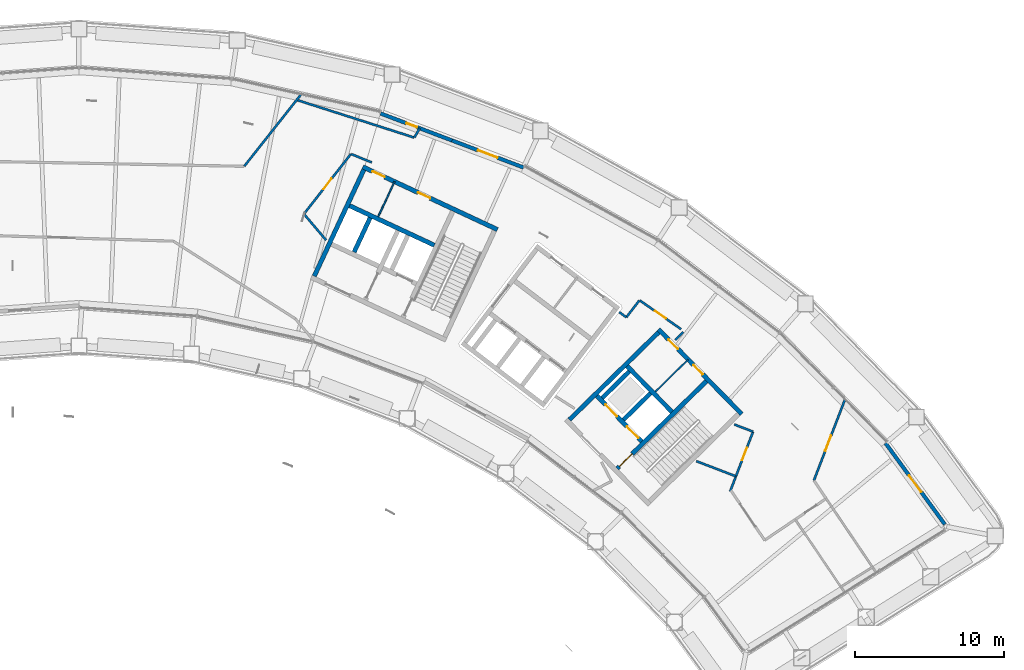
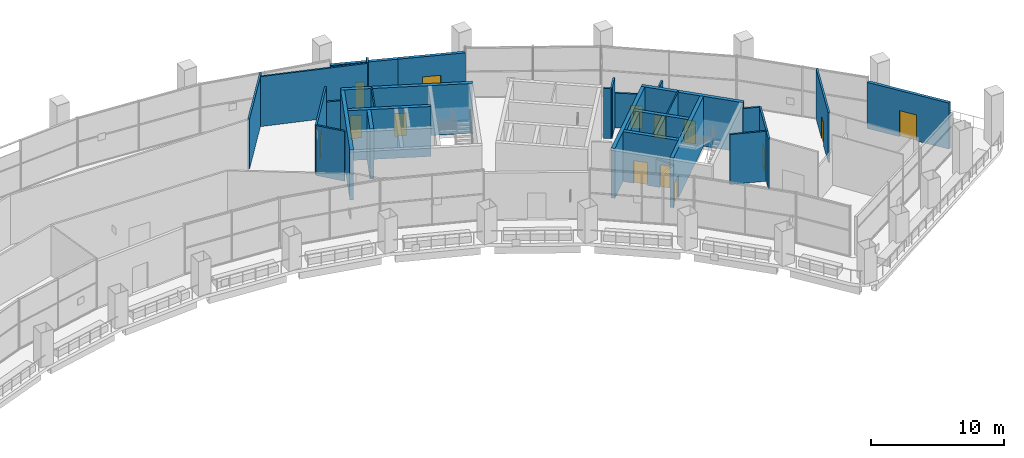
# One storey, part 19 of 28: 30 walls, 13 doors, 1 window, 14 openings.
"""IFC4 building model written with IfcOpenShell, lengths in metres."""

from ifc_helpers import new_model, si_unit, direction, frame, frame_2d, origin, place, context, subcontext, project, spatial, rectangle, extrude, material, layer, layer_set, type_object, element, fill, save


model = new_model("IFC4")

# Units and contexts
model_context = context("Model", 3, precision=1e-05, world=origin(), true_north=direction((0.0, 1.0)))
body_context = subcontext(model_context, "Body", "Model", "MODEL_VIEW")
ifc_project = project(units=[si_unit("LENGTHUNIT", "METRE"), si_unit("AREAUNIT", "SQUARE_METRE"), si_unit("VOLUMEUNIT", "CUBIC_METRE"), si_unit("PLANEANGLEUNIT", "RADIAN"), si_unit("MASSUNIT", "GRAM", prefix="KILO")], contexts=[model_context])

# Site, building, storey
site_placement = place(None, origin())
site = spatial("IfcSite", under=ifc_project, at=site_placement, CompositionType="ELEMENT")
building_placement = place(site_placement, origin())
building = spatial("IfcBuilding", under=site, at=building_placement, Name="Tuul Gate Civic Tower", CompositionType="ELEMENT")
storey_placement = place(building_placement, frame((0.0, 0.0, 128.699951171875)))
storey = spatial("IfcBuildingStorey", under=building, at=storey_placement, Name="Sky garden level 1", CompositionType="ELEMENT", Elevation=128.699951171875)

# Wall, openings, doors
ifc_material_1 = material(Name="Concrete C50/60", Category="concrete")
ifc_layer_1 = layer(ifc_material_1, 0.300048828125)
ifc_layer_set_1 = layer_set([ifc_layer_1], Name="Concrete C50/60")
wall_type_1 = type_object("IfcWallType", Name="Core wall C50/60", PredefinedType="SHEAR", material=ifc_layer_set_1)
wall_1_placement = place(storey_placement, frame((47.701904296875, -14.079833984375, 0.0), z_axis=(0.0, 0.0, 1.0), x_axis=(-0.700002721075, 0.714140175657, 0.0)))
wall_1 = element("IfcWall", 1, at=wall_1_placement, inside=storey, type_object=wall_type_1, Name="Core wall", PredefinedType="SHEAR", context=body_context, shape_type="SweptSolid", body=[
    extrude(rectangle(XDim=4.300048828125, YDim=0.300048828125, at=frame_2d((2.14990234375, 0.0))), origin(), (0.0, 0.0, 1.0), 4.60009765625),
])
opening_1_placement = place(wall_1_placement, frame((0.324951171875, 0.0, 0.0)))
opening_1 = element("IfcOpeningElement", 2, at=opening_1_placement, cuts=wall_1, Name="Opening LD-L4", PredefinedType="OPENING", context=body_context, shape_type="SweptSolid", body=[
    extrude(rectangle(XDim=1.10009765625, YDim=2.10009765625, at=frame_2d((0.550048828125, 1.050048828125))), frame((0.0, 0.16015625, 0.0), z_axis=(0.0, -1.0, 0.0), x_axis=(1.0, 0.0, 0.0)), (0.0, 0.0, 1.0), 0.320068359375),
])
opening_2_placement = place(wall_1_placement, frame((2.375, 0.0, 0.0)))
opening_2 = element("IfcOpeningElement", 3, at=opening_2_placement, cuts=wall_1, Name="Opening LD-M3", PredefinedType="OPENING", context=body_context, shape_type="SweptSolid", body=[
    extrude(rectangle(XDim=1.10009765625, YDim=2.10009765625, at=frame_2d((0.550048828125, 1.050048828125))), frame((0.0, 0.16015625, 0.0), z_axis=(0.0, -1.0, 0.0), x_axis=(1.0, 0.0, 0.0)), (0.0, 0.0, 1.0), 0.320068359375),
])
ifc_material_2 = material(Name="Stainless steel", Category="steel")
door_type_1 = type_object("IfcDoorType", Name="Landing door", OperationType="DOUBLE_DOOR_SLIDING", PredefinedType="DOOR", material=ifc_material_2)
door_1_placement = place(opening_1_placement, origin())
door_1 = element("IfcDoor", 4, at=door_1_placement, inside=storey, type_object=door_type_1, Name="Low-rise lift L4 landing door", OperationType="DOUBLE_DOOR_SLIDING", OverallHeight=2.10009765625, OverallWidth=1.10009765625, PredefinedType="DOOR", context=body_context, shape_type="SweptSolid", body=[
    extrude(rectangle(XDim=1.10009765625, YDim=2.10009765625, at=frame_2d((0.550048828125, 1.050048828125))), frame((0.0, 0.02490234375, 0.0), z_axis=(0.0, -1.0, 0.0), x_axis=(1.0, 0.0, 0.0)), (0.0, 0.0, 1.0), 0.050048828125),
])
fill(opening_1, door_1)
door_2_placement = place(opening_2_placement, origin())
door_2 = element("IfcDoor", 5, at=door_2_placement, inside=storey, type_object=door_type_1, Name="Mid-rise lift M3 landing door", OperationType="DOUBLE_DOOR_SLIDING", OverallHeight=2.10009765625, OverallWidth=1.10009765625, PredefinedType="DOOR", context=body_context, shape_type="SweptSolid", body=[
    extrude(rectangle(XDim=1.10009765625, YDim=2.10009765625, at=frame_2d((0.550048828125, 1.050048828125))), frame((0.0, 0.02490234375, 0.0), z_axis=(0.0, -1.0, 0.0), x_axis=(1.0, 0.0, 0.0)), (0.0, 0.0, 1.0), 0.050048828125),
])
fill(opening_2, door_2)

# Wall
wall_2_placement = place(storey_placement, frame((49.737060546875, -12.0849609375, 0.0), z_axis=(0.0, 0.0, 1.0), x_axis=(-0.700002721075, 0.714140175657, 0.0)))
element("IfcWall", 6, at=wall_2_placement, inside=storey, type_object=wall_type_1, Name="Core wall", PredefinedType="SHEAR", context=body_context, shape_type="SweptSolid", body=[
    extrude(rectangle(XDim=4.300048828125, YDim=0.300048828125, at=frame_2d((2.14990234375, 0.0))), origin(), (0.0, 0.0, 1.0), 4.60009765625),
])

# Wall, openings, doors
wall_3_placement = place(storey_placement, frame((54.43798828125, -12.23779296875, 0.0), z_axis=(0.0, 0.0, 1.0), x_axis=(-0.700021979774, 0.714121297703, 0.0)))
wall_3 = element("IfcWall", 7, at=wall_3_placement, inside=storey, type_object=wall_type_1, Name="Core wall", PredefinedType="SHEAR", context=body_context, shape_type="SweptSolid", body=[
    extrude(rectangle(XDim=8.0, YDim=0.300048828125, at=frame_2d((4.0, 0.0))), origin(), (0.0, 0.0, 1.0), 4.60009765625),
])
opening_3_placement = place(wall_3_placement, frame((3.75, 0.0, 0.0)))
opening_3 = element("IfcOpeningElement", 8, at=opening_3_placement, cuts=wall_3, Name="Opening J-D18", PredefinedType="OPENING", context=body_context, shape_type="SweptSolid", body=[
    extrude(rectangle(XDim=0.89990234375, YDim=2.10009765625, at=frame_2d((0.449951171875, 1.050048828125))), frame((0.0, 0.16015625, 0.0), z_axis=(0.0, -1.0, 0.0), x_axis=(1.0, 0.0, 0.0)), (0.0, 0.0, 1.0), 0.320068359375),
])
opening_4_placement = place(wall_3_placement, frame((6.125, 0.0, 0.0)))
opening_4 = element("IfcOpeningElement", 9, at=opening_4_placement, cuts=wall_3, Name="Opening J-D19", PredefinedType="OPENING", context=body_context, shape_type="SweptSolid", body=[
    extrude(rectangle(XDim=0.89990234375, YDim=2.10009765625, at=frame_2d((0.449951171875, 1.050048828125))), frame((0.0, 0.16015625, 0.0), z_axis=(0.0, -1.0, 0.0), x_axis=(1.0, 0.0, 0.0)), (0.0, 0.0, 1.0), 0.320068359375),
])
ifc_material_3 = material(Name="Timber door leaf", Category="wood")
door_type_2 = type_object("IfcDoorType", Name="Door D09", OperationType="NOTDEFINED", PredefinedType="DOOR", material=ifc_material_3)
door_3_placement = place(opening_3_placement, origin())
door_3 = element("IfcDoor", 10, at=door_3_placement, inside=storey, type_object=door_type_2, Name="Door J-D18", OperationType="SINGLE_SWING_LEFT", OverallHeight=2.10009765625, OverallWidth=0.89990234375, PredefinedType="DOOR", context=body_context, shape_type="SweptSolid", body=[
    extrude(rectangle(XDim=0.89990234375, YDim=2.10009765625, at=frame_2d((0.449951171875, 1.050048828125))), frame((0.0, 0.02490234375, 0.0), z_axis=(0.0, -1.0, 0.0), x_axis=(1.0, 0.0, 0.0)), (0.0, 0.0, 1.0), 0.050048828125),
])
fill(opening_3, door_3)
door_4_placement = place(opening_4_placement, origin())
door_4 = element("IfcDoor", 11, at=door_4_placement, inside=storey, type_object=door_type_2, Name="Door J-D19", OperationType="SINGLE_SWING_LEFT", OverallHeight=2.10009765625, OverallWidth=0.89990234375, PredefinedType="DOOR", context=body_context, shape_type="SweptSolid", body=[
    extrude(rectangle(XDim=0.89990234375, YDim=2.10009765625, at=frame_2d((0.449951171875, 1.050048828125))), frame((0.0, 0.02490234375, 0.0), z_axis=(0.0, -1.0, 0.0), x_axis=(1.0, 0.0, 0.0)), (0.0, 0.0, 1.0), 0.050048828125),
])
fill(opening_4, door_4)

# Wall, opening, door
wall_4_placement = place(storey_placement, frame((46.05712890625, -15.902099609375, 0.0), z_axis=(0.0, 0.0, 1.0), x_axis=(0.714134086973, 0.700008932674, 0.0)))
wall_4 = element("IfcWall", 12, at=wall_4_placement, inside=storey, type_object=wall_type_1, Name="Core wall", PredefinedType="SHEAR", context=body_context, shape_type="SweptSolid", body=[
    extrude(rectangle(XDim=8.400146484375, YDim=0.300048828125, at=frame_2d((4.2001953125, 0.0))), origin(), (0.0, 0.0, 1.0), 4.60009765625),
])
opening_5_placement = place(wall_4_placement, frame((0.199951171875, 0.0, 0.0)))
opening_5 = element("IfcOpeningElement", 13, at=opening_5_placement, cuts=wall_4, Name="Opening SD-ST-3", PredefinedType="OPENING", context=body_context, shape_type="SweptSolid", body=[
    extrude(rectangle(XDim=1.199951171875, YDim=2.10009765625, at=frame_2d((0.60009765625, 1.050048828125))), frame((0.0, 0.16015625, 0.0), z_axis=(0.0, -1.0, 0.0), x_axis=(1.0, 0.0, 0.0)), (0.0, 0.0, 1.0), 0.320068359375),
])
ifc_material_4 = material(Name="Steel", Category="steel")
door_type_3 = type_object("IfcDoorType", Name="Stair door", OperationType="NOTDEFINED", PredefinedType="DOOR", material=ifc_material_4)
door_5_placement = place(opening_5_placement, origin())
door_5 = element("IfcDoor", 14, at=door_5_placement, inside=storey, type_object=door_type_3, Name="Stair door ST-3", OperationType="SINGLE_SWING_LEFT", OverallHeight=2.10009765625, OverallWidth=1.199951171875, PredefinedType="DOOR", context=body_context, shape_type="SweptSolid", body=[
    extrude(rectangle(XDim=1.199951171875, YDim=2.10009765625, at=frame_2d((0.60009765625, 1.050048828125))), frame((0.0, 0.02490234375, 0.0), z_axis=(0.0, -1.0, 0.0), x_axis=(1.0, 0.0, 0.0)), (0.0, 0.0, 1.0), 0.050048828125),
])
fill(opening_5, door_5)

# Walls
wall_5_placement = place(storey_placement, frame((46.47900390625, -12.617919921875, 0.0), z_axis=(0.0, 0.0, 1.0), x_axis=(0.71410944159, 0.700034074479, 0.0)))
element("IfcWall", 15, at=wall_5_placement, inside=storey, type_object=wall_type_1, Name="Core wall", PredefinedType="SHEAR", context=body_context, shape_type="SweptSolid", body=[
    extrude(rectangle(XDim=2.5498046875, YDim=0.300048828125, at=frame_2d((1.27490234375, 0.0))), origin(), (0.0, 0.0, 1.0), 4.60009765625),
])
wall_6_placement = place(storey_placement, frame((45.0439453125, -11.154052734375, 0.0), z_axis=(0.0, 0.0, 1.0), x_axis=(0.714108498262, 0.700035036773, 0.0)))
element("IfcWall", 16, at=wall_6_placement, inside=storey, type_object=wall_type_1, Name="Core wall", PredefinedType="SHEAR", context=body_context, shape_type="SweptSolid", body=[
    extrude(rectangle(XDim=2.550048828125, YDim=0.300048828125, at=frame_2d((1.27490234375, 0.0))), origin(), (0.0, 0.0, 1.0), 4.60009765625),
])
wall_7_placement = place(storey_placement, frame((42.837158203125, -12.616943359375, 0.0), z_axis=(0.0, 0.0, 1.0), x_axis=(0.714119844755, 0.700023461983, 0.0)))
element("IfcWall", 17, at=wall_7_placement, inside=storey, type_object=wall_type_1, Name="Core wall", PredefinedType="SHEAR", context=body_context, shape_type="SweptSolid", body=[
    extrude(rectangle(XDim=8.39990234375, YDim=0.300048828125, at=frame_2d((4.199951171875, 0.0))), origin(), (0.0, 0.0, 1.0), 4.60009765625),
])
wall_8_placement = place(storey_placement, frame((33.75, -0.873779296875, 0.0), z_axis=(0.0, 0.0, 1.0), x_axis=(-0.906300917592, 0.422632992999, 0.0)))
element("IfcWall", 18, at=wall_8_placement, inside=storey, type_object=wall_type_1, Name="Core wall", PredefinedType="SHEAR", context=body_context, shape_type="SweptSolid", body=[
    extrude(rectangle(XDim=6.300048828125, YDim=0.300048828125, at=frame_2d((3.14990234375, 0.0))), origin(), (0.0, 0.0, 1.0), 4.60009765625),
])

# Wall, openings, doors
wall_9_placement = place(storey_placement, frame((37.993408203125, 0.181884765625, 0.0), z_axis=(0.0, 0.0, 1.0), x_axis=(-0.906310338845, 0.422612789327, 0.0)))
wall_9 = element("IfcWall", 19, at=wall_9_placement, inside=storey, type_object=wall_type_1, Name="Core wall", PredefinedType="SHEAR", context=body_context, shape_type="SweptSolid", body=[
    extrude(rectangle(XDim=9.999755859375, YDim=0.300048828125, at=frame_2d((5.0, 0.0))), origin(), (0.0, 0.0, 1.0), 4.60009765625),
])
opening_6_placement = place(wall_9_placement, frame((4.99365234375, 0.0, 0.0)))
opening_6 = element("IfcOpeningElement", 20, at=opening_6_placement, cuts=wall_9, Name="Opening J-D20", PredefinedType="OPENING", context=body_context, shape_type="SweptSolid", body=[
    extrude(rectangle(XDim=0.89990234375, YDim=2.10009765625, at=frame_2d((0.449951171875, 1.050048828125))), frame((0.0, 0.16015625, 0.0), z_axis=(0.0, -1.0, 0.0), x_axis=(1.0, 0.0, 0.0)), (0.0, 0.0, 1.0), 0.320068359375),
])
opening_7_placement = place(wall_9_placement, frame((8.368896484375, 0.0, 0.0)))
opening_7 = element("IfcOpeningElement", 21, at=opening_7_placement, cuts=wall_9, Name="Opening J-D21", PredefinedType="OPENING", context=body_context, shape_type="SweptSolid", body=[
    extrude(rectangle(XDim=0.89990234375, YDim=2.10009765625, at=frame_2d((0.449951171875, 1.050048828125))), frame((0.0, 0.16015625, 0.0), z_axis=(0.0, -1.0, 0.0), x_axis=(1.0, 0.0, 0.0)), (0.0, 0.0, 1.0), 0.320068359375),
])
door_6_placement = place(opening_6_placement, origin())
door_6 = element("IfcDoor", 22, at=door_6_placement, inside=storey, type_object=door_type_2, Name="Door J-D20", OperationType="SINGLE_SWING_LEFT", OverallHeight=2.10009765625, OverallWidth=0.89990234375, PredefinedType="DOOR", context=body_context, shape_type="SweptSolid", body=[
    extrude(rectangle(XDim=0.89990234375, YDim=2.10009765625, at=frame_2d((0.449951171875, 1.050048828125))), frame((0.0, 0.02490234375, 0.0), z_axis=(0.0, -1.0, 0.0), x_axis=(1.0, 0.0, 0.0)), (0.0, 0.0, 1.0), 0.050048828125),
])
fill(opening_6, door_6)
door_7_placement = place(opening_7_placement, origin())
door_7 = element("IfcDoor", 23, at=door_7_placement, inside=storey, type_object=door_type_2, Name="Door J-D21", OperationType="SINGLE_SWING_RIGHT", OverallHeight=2.10009765625, OverallWidth=0.89990234375, PredefinedType="DOOR", context=body_context, shape_type="SweptSolid", body=[
    extrude(rectangle(XDim=0.89990234375, YDim=2.10009765625, at=frame_2d((0.449951171875, 1.050048828125))), frame((0.0, 0.02490234375, 0.0), z_axis=(0.0, -1.0, 0.0), x_axis=(1.0, 0.0, 0.0)), (0.0, 0.0, 1.0), 0.050048828125),
])
fill(opening_7, door_7)

# Walls
wall_10_placement = place(storey_placement, frame((28.349365234375, -1.33447265625, 0.0), z_axis=(0.0, 0.0, 1.0), x_axis=(0.422612891016, 0.906310291427, 0.0)))
element("IfcWall", 24, at=wall_10_placement, inside=storey, type_object=wall_type_1, Name="Core wall", PredefinedType="SHEAR", context=body_context, shape_type="SweptSolid", body=[
    extrude(rectangle(XDim=2.550048828125, YDim=0.300048828125, at=frame_2d((1.27490234375, 0.0))), origin(), (0.0, 0.0, 1.0), 4.60009765625),
])
wall_11_placement = place(storey_placement, frame((25.66455078125, -2.951416015625, 0.0), z_axis=(0.0, 0.0, 1.0), x_axis=(0.422582604137, 0.906324413596, 0.0)))
element("IfcWall", 25, at=wall_11_placement, inside=storey, type_object=wall_type_1, Name="Core wall", PredefinedType="SHEAR", context=body_context, shape_type="SweptSolid", body=[
    extrude(rectangle(XDim=7.89990234375, YDim=0.300048828125, at=frame_2d((3.949951171875, 0.0))), origin(), (0.0, 0.0, 1.0), 4.60009765625),
])

# Wall, opening, door
ifc_material_5 = material(Name="Gypsum board partition")
ifc_layer_2 = layer(ifc_material_5, 0.14990234375)
ifc_layer_set_2 = layer_set([ifc_layer_2], Name="Gypsum board partition")
wall_type_2 = type_object("IfcWallType", Name="Corridor wall P150", PredefinedType="PARTITIONING", material=ifc_layer_set_2)
wall_12_placement = place(storey_placement, frame((59.296630859375, -16.69775390625, 0.0), z_axis=(0.0, 0.0, 1.0), x_axis=(0.358275878843, 0.93361576392, 0.0)))
wall_12 = element("IfcWall", 26, at=wall_12_placement, inside=storey, type_object=wall_type_2, Name="p003", PredefinedType="PARTITIONING", context=body_context, shape_type="SweptSolid", body=[
    extrude(rectangle(XDim=5.886962890625, YDim=0.14990234375, at=frame_2d((2.943359375, 0.0))), origin(), (0.0, 0.0, 1.0), 4.60009765625),
])
opening_8_placement = place(wall_12_placement, frame((2.12646484375, 0.0, 0.0)))
opening_8 = element("IfcOpeningElement", 27, at=opening_8_placement, cuts=wall_12, Name="Opening J-D01", PredefinedType="OPENING", context=body_context, shape_type="SweptSolid", body=[
    extrude(rectangle(XDim=1.10009765625, YDim=2.10009765625, at=frame_2d((0.550048828125, 1.050048828125))), frame((0.0, 0.0849609375, 0.0), z_axis=(0.0, -1.0, 0.0), x_axis=(1.0, 0.0, 0.0)), (0.0, 0.0, 1.0), 0.169921875),
])
ifc_material_6 = material(Name="Timber door leaf", Category="wood")
door_type_4 = type_object("IfcDoorType", Name="Door D11", OperationType="NOTDEFINED", PredefinedType="DOOR", material=ifc_material_6)
door_8_placement = place(opening_8_placement, frame((1.10009765625, 0.0, 0.0), z_axis=(0.0, 0.0, 1.0), x_axis=(-1.0, 0.0, 0.0)))
door_8 = element("IfcDoor", 28, at=door_8_placement, inside=storey, type_object=door_type_4, Name="Door J-D01", OperationType="SINGLE_SWING_LEFT", OverallHeight=2.10009765625, OverallWidth=1.10009765625, PredefinedType="DOOR", context=body_context, shape_type="SweptSolid", body=[
    extrude(rectangle(XDim=1.10009765625, YDim=2.10009765625, at=frame_2d((0.550048828125, 1.050048828125))), frame((0.0, 0.02490234375, 0.0), z_axis=(0.0, -1.0, 0.0), x_axis=(1.0, 0.0, 0.0)), (0.0, 0.0, 1.0), 0.050048828125),
])
fill(opening_8, door_8)

# Walls
wall_13_placement = place(storey_placement, frame((32.410400390625, 6.386962890625, 0.0), z_axis=(0.0, 0.0, 1.0), x_axis=(0.499416213514, 0.866362190818, 0.0)))
element("IfcWall", 29, at=wall_13_placement, inside=storey, type_object=wall_type_2, Name="p016", PredefinedType="PARTITIONING", context=body_context, shape_type="SweptSolid", body=[
    extrude(rectangle(XDim=0.713134765625, YDim=0.14990234375, at=frame_2d((0.3564453125, 0.0))), origin(), (0.0, 0.0, 1.0), 4.60009765625),
])
wall_14_placement = place(storey_placement, frame((24.4853515625, 8.908203125, 0.0), z_axis=(0.0, 0.0, 1.0), x_axis=(0.952362628533, -0.304967906137, 0.0)))
element("IfcWall", 30, at=wall_14_placement, inside=storey, type_object=wall_type_2, Name="p017", PredefinedType="PARTITIONING", context=body_context, shape_type="SweptSolid", body=[
    extrude(rectangle(XDim=8.296875, YDim=0.14990234375, at=frame_2d((4.1484375, 0.0))), origin(), (0.0, 0.0, 1.0), 4.60009765625),
])
wall_15_placement = place(storey_placement, frame((20.957763671875, 4.44775390625, 0.0), z_axis=(0.0, 0.0, 1.0), x_axis=(0.620251856836, 0.784402724429, 0.0)))
element("IfcWall", 31, at=wall_15_placement, inside=storey, type_object=wall_type_2, Name="p018", PredefinedType="PARTITIONING", context=body_context, shape_type="SweptSolid", body=[
    extrude(rectangle(XDim=6.225830078125, YDim=0.14990234375, at=frame_2d((3.11279296875, 0.0))), origin(), (0.0, 0.0, 1.0), 4.60009765625),
])
wall_16_placement = place(storey_placement, frame((53.940185546875, -12.93603515625, 0.0), z_axis=(0.0, 0.0, 1.0), x_axis=(0.933555400377, -0.358433138015, 0.0)))
element("IfcWall", 32, at=wall_16_placement, inside=storey, type_object=wall_type_2, Name="p028", PredefinedType="PARTITIONING", context=body_context, shape_type="SweptSolid", body=[
    extrude(rectangle(XDim=1.3486328125, YDim=0.14990234375, at=frame_2d((0.67431640625, 0.0))), origin(), (0.0, 0.0, 1.0), 4.60009765625),
])

# Wall, opening, door
wall_17_placement = place(storey_placement, frame((53.655517578125, -17.440185546875, 0.0), z_axis=(0.0, 0.0, 1.0), x_axis=(0.358424429941, 0.933558743744, 0.0)))
wall_17 = element("IfcWall", 33, at=wall_17_placement, inside=storey, type_object=wall_type_2, Name="p029", PredefinedType="PARTITIONING", context=body_context, shape_type="SweptSolid", body=[
    extrude(rectangle(XDim=4.306884765625, YDim=0.14990234375, at=frame_2d((2.1533203125, 0.0))), origin(), (0.0, 0.0, 1.0), 4.60009765625),
])
opening_9_placement = place(wall_17_placement, frame((2.246826171875, 0.0, 0.0)))
opening_9 = element("IfcOpeningElement", 34, at=opening_9_placement, cuts=wall_17, Name="Opening J-D08", PredefinedType="OPENING", context=body_context, shape_type="SweptSolid", body=[
    extrude(rectangle(XDim=0.89990234375, YDim=2.10009765625, at=frame_2d((0.449951171875, 1.050048828125))), frame((0.0, 0.0849609375, 0.0), z_axis=(0.0, -1.0, 0.0), x_axis=(1.0, 0.0, 0.0)), (0.0, 0.0, 1.0), 0.169921875),
])
door_9_placement = place(opening_9_placement, origin())
door_9 = element("IfcDoor", 35, at=door_9_placement, inside=storey, type_object=door_type_2, Name="Door J-D08", OperationType="SINGLE_SWING_RIGHT", OverallHeight=2.10009765625, OverallWidth=0.89990234375, PredefinedType="DOOR", context=body_context, shape_type="SweptSolid", body=[
    extrude(rectangle(XDim=0.89990234375, YDim=2.10009765625, at=frame_2d((0.449951171875, 1.050048828125))), frame((0.0, 0.02490234375, 0.0), z_axis=(0.0, -1.0, 0.0), x_axis=(1.0, 0.0, 0.0)), (0.0, 0.0, 1.0), 0.050048828125),
])
fill(opening_9, door_9)

# Walls
wall_18_placement = place(storey_placement, frame((51.382080078125, -15.403076171875, 0.0), z_axis=(0.0, 0.0, 1.0), x_axis=(0.933574843068, -0.358382494538, 0.0)))
element("IfcWall", 36, at=wall_18_placement, inside=storey, type_object=wall_type_2, Name="p030", PredefinedType="PARTITIONING", context=body_context, shape_type="SweptSolid", body=[
    extrude(rectangle(XDim=2.852294921875, YDim=0.14990234375, at=frame_2d((1.42626953125, 0.0))), origin(), (0.0, 0.0, 1.0), 4.60009765625),
])
wall_19_placement = place(storey_placement, frame((46.188232421875, -5.363525390625, 0.0), z_axis=(0.0, 0.0, 1.0), x_axis=(0.79567494155, -0.60572385407, 0.0)))
element("IfcWall", 37, at=wall_19_placement, inside=storey, type_object=wall_type_2, Name="p040", PredefinedType="PARTITIONING", context=body_context, shape_type="SweptSolid", body=[
    extrude(rectangle(XDim=0.598876953125, YDim=0.14990234375, at=frame_2d((0.29931640625, 0.0))), origin(), (0.0, 0.0, 1.0), 4.60009765625),
])
wall_20_placement = place(storey_placement, frame((46.66552734375, -5.726318359375, 0.0), z_axis=(0.0, 0.0, 1.0), x_axis=(0.61218689689, 0.790713097954, 0.0)))
element("IfcWall", 38, at=wall_20_placement, inside=storey, type_object=wall_type_2, Name="p041", PredefinedType="PARTITIONING", context=body_context, shape_type="SweptSolid", body=[
    extrude(rectangle(XDim=1.437255859375, YDim=0.14990234375, at=frame_2d((0.71875, 0.0))), origin(), (0.0, 0.0, 1.0), 4.60009765625),
])
wall_21_placement = place(storey_placement, frame((49.962646484375, -7.2431640625, 0.0), z_axis=(0.0, 0.0, 1.0), x_axis=(0.715979851607, 0.698120943743, 0.0)))
element("IfcWall", 39, at=wall_21_placement, inside=storey, type_object=wall_type_2, Name="p044", PredefinedType="PARTITIONING", context=body_context, shape_type="SweptSolid", body=[
    extrude(rectangle(XDim=0.751953125, YDim=0.14990234375, at=frame_2d((0.3759765625, 0.0))), origin(), (0.0, 0.0, 1.0), 4.60009765625),
])
wall_22_placement = place(storey_placement, frame((24.979736328125, 1.219482421875, 0.0), z_axis=(0.0, 0.0, 1.0), x_axis=(0.646414572188, -0.762986370038, 0.0)))
element("IfcWall", 40, at=wall_22_placement, inside=storey, type_object=wall_type_2, Name="p045", PredefinedType="PARTITIONING", context=body_context, shape_type="SweptSolid", body=[
    extrude(rectangle(XDim=2.293212890625, YDim=0.14990234375, at=frame_2d((1.146484375, 0.0))), origin(), (0.0, 0.0, 1.0), 4.60009765625),
])

# Wall, opening, door
wall_23_placement = place(storey_placement, frame((24.979248046875, 1.244873046875, 0.0), z_axis=(0.0, 0.0, 1.0), x_axis=(0.616757412454, 0.787153285061, 0.0)))
wall_23 = element("IfcWall", 41, at=wall_23_placement, inside=storey, type_object=wall_type_2, Name="p046", PredefinedType="PARTITIONING", context=body_context, shape_type="SweptSolid", body=[
    extrude(rectangle(XDim=5.099365234375, YDim=0.14990234375, at=frame_2d((2.5498046875, 0.0))), origin(), (0.0, 0.0, 1.0), 4.60009765625),
])
opening_10_placement = place(wall_23_placement, frame((2.099609375, 0.0, 0.0)))
opening_10 = element("IfcOpeningElement", 42, at=opening_10_placement, cuts=wall_23, Name="Opening J-D12", PredefinedType="OPENING", context=body_context, shape_type="SweptSolid", body=[
    extrude(rectangle(XDim=0.89990234375, YDim=2.10009765625, at=frame_2d((0.449951171875, 1.050048828125))), frame((0.0, 0.0849609375, 0.0), z_axis=(0.0, -1.0, 0.0), x_axis=(1.0, 0.0, 0.0)), (0.0, 0.0, 1.0), 0.169921875),
])
door_10_placement = place(opening_10_placement, frame((0.89990234375, 0.0, 0.0), z_axis=(0.0, 0.0, 1.0), x_axis=(-1.0, 0.0, 0.0)))
door_10 = element("IfcDoor", 43, at=door_10_placement, inside=storey, type_object=door_type_2, Name="Door J-D12", OperationType="SINGLE_SWING_LEFT", OverallHeight=2.10009765625, OverallWidth=0.89990234375, PredefinedType="DOOR", context=body_context, shape_type="SweptSolid", body=[
    extrude(rectangle(XDim=0.89990234375, YDim=2.10009765625, at=frame_2d((0.449951171875, 1.050048828125))), frame((0.0, 0.02490234375, 0.0), z_axis=(0.0, -1.0, 0.0), x_axis=(1.0, 0.0, 0.0)), (0.0, 0.0, 1.0), 0.050048828125),
])
fill(opening_10, door_10)

ifc_material_7 = material(Name="Gypsum board partition")
ifc_layer_3 = layer(ifc_material_7, 0.14990234375)
ifc_layer_set_3 = layer_set([ifc_layer_3], Name="Gypsum board partition")
wall_type_3 = type_object("IfcWallType", Name="Corridor wall P150 3200 HIGH", PredefinedType="PARTITIONING", material=ifc_layer_set_3)
wall_24_placement = place(storey_placement, frame((47.572509765625, -4.585693359375, 0.0), z_axis=(0.0, 0.0, 1.0), x_axis=(0.820670325746, -0.57140197448, 0.0)))
wall_24 = element("IfcWall", 44, at=wall_24_placement, inside=storey, type_object=wall_type_3, Name="p043", PredefinedType="PARTITIONING", context=body_context, shape_type="SweptSolid", body=[
    extrude(rectangle(XDim=3.390869140625, YDim=0.14990234375, at=frame_2d((1.6953125, 0.0))), origin(), (0.0, 0.0, 1.0), 3.199951171875),
])
opening_11_placement = place(wall_24_placement, frame((1.245361328125, 0.0, 0.0)))
opening_11 = element("IfcOpeningElement", 45, at=opening_11_placement, cuts=wall_24, Name="Opening J-D11", PredefinedType="OPENING", context=body_context, shape_type="SweptSolid", body=[
    extrude(rectangle(XDim=0.89990234375, YDim=2.10009765625, at=frame_2d((0.449951171875, 1.050048828125))), frame((0.0, 0.0849609375, 0.0), z_axis=(0.0, -1.0, 0.0), x_axis=(1.0, 0.0, 0.0)), (0.0, 0.0, 1.0), 0.169921875),
])
door_11_placement = place(opening_11_placement, frame((0.89990234375, 0.0, 0.0), z_axis=(0.0, 0.0, 1.0), x_axis=(-1.0, 0.0, 0.0)))
door_11 = element("IfcDoor", 46, at=door_11_placement, inside=storey, type_object=door_type_2, Name="Door J-D11", OperationType="SINGLE_SWING_RIGHT", OverallHeight=2.10009765625, OverallWidth=0.89990234375, PredefinedType="DOOR", context=body_context, shape_type="SweptSolid", body=[
    extrude(rectangle(XDim=0.89990234375, YDim=2.10009765625, at=frame_2d((0.449951171875, 1.050048828125))), frame((0.0, 0.02490234375, 0.0), z_axis=(0.0, -1.0, 0.0), x_axis=(1.0, 0.0, 0.0)), (0.0, 0.0, 1.0), 0.050048828125),
])
fill(opening_11, door_11)

# Wall
wall_25_placement = place(storey_placement, frame((28.1474609375, 5.26513671875, 0.0), z_axis=(0.0, 0.0, 1.0), x_axis=(0.926818827167, -0.375508803637, 0.0)))
element("IfcWall", 47, at=wall_25_placement, inside=storey, type_object=wall_type_3, Name="p047", PredefinedType="PARTITIONING", context=body_context, shape_type="SweptSolid", body=[
    extrude(rectangle(XDim=1.501220703125, YDim=0.14990234375, at=frame_2d((0.75048828125, 0.0))), origin(), (0.0, 0.0, 1.0), 3.199951171875),
])

# Wall, opening, door
ifc_material_8 = material(Name="Precast concrete C40/50", Category="concrete")
ifc_layer_4 = layer(ifc_material_8, 0.25)
ifc_layer_set_4 = layer_set([ifc_layer_4], Name="Precast concrete C40/50")
wall_type_4 = type_object("IfcWallType", Name="External wall", PredefinedType="STANDARD", material=ifc_layer_set_4)
wall_26_placement = place(storey_placement, frame((68.10400390625, -19.65576171875, 0.0), z_axis=(0.0, 0.0, 1.0), x_axis=(-0.589802280076, 0.807547689253, 0.0)))
wall_26 = element("IfcWall", 48, at=wall_26_placement, inside=storey, type_object=wall_type_4, Name="External wall", PredefinedType="STANDARD", context=body_context, shape_type="SweptSolid", body=[
    extrude(rectangle(XDim=6.77001953125, YDim=0.25, at=frame_2d((3.385009765625, 0.0))), origin(), (0.0, 0.0, 1.0), 4.25),
])
opening_12_placement = place(wall_26_placement, frame((2.68505859375, 0.0, 0.0)))
opening_12 = element("IfcOpeningElement", 49, at=opening_12_placement, cuts=wall_26, Name="Opening TD", PredefinedType="OPENING", context=body_context, shape_type="SweptSolid", body=[
    extrude(rectangle(XDim=1.39990234375, YDim=2.39990234375, at=frame_2d((0.699951171875, 1.199951171875))), frame((0.0, 0.135009765625, 0.0), z_axis=(0.0, -1.0, 0.0), x_axis=(1.0, 0.0, 0.0)), (0.0, 0.0, 1.0), 0.27001953125),
])
ifc_material_9 = material(Name="Glazed aluminium", Category="aluminium")
door_type_5 = type_object("IfcDoorType", Name="Terrace door", OperationType="DOUBLE_DOOR_SINGLE_SWING", PredefinedType="DOOR", material=ifc_material_9)
door_12_placement = place(opening_12_placement, frame((1.39990234375, 0.0, 0.0), z_axis=(0.0, 0.0, 1.0), x_axis=(-1.0, 0.0, 0.0)))
door_12 = element("IfcDoor", 50, at=door_12_placement, inside=storey, type_object=door_type_5, Name="Terrace door", OperationType="DOUBLE_DOOR_SINGLE_SWING", OverallHeight=2.39990234375, OverallWidth=1.39990234375, PredefinedType="DOOR", context=body_context, shape_type="SweptSolid", body=[
    extrude(rectangle(XDim=1.39990234375, YDim=2.39990234375, at=frame_2d((0.699951171875, 1.199951171875))), frame((0.0, 0.02490234375, 0.0), z_axis=(0.0, -1.0, 0.0), x_axis=(1.0, 0.0, 0.0)), (0.0, 0.0, 1.0), 0.050048828125),
])
fill(opening_12, door_12)

wall_27_placement = place(storey_placement, frame((39.752685546875, 4.358154296875, 0.0), z_axis=(0.0, 0.0, 1.0), x_axis=(-0.935367227941, 0.353678029985, 0.0)))
wall_27 = element("IfcWall", 51, at=wall_27_placement, inside=storey, type_object=wall_type_4, Name="External wall", PredefinedType="STANDARD", context=body_context, shape_type="SweptSolid", body=[
    extrude(rectangle(XDim=5.150146484375, YDim=0.25, at=frame_2d((2.5751953125, 0.0))), origin(), (0.0, 0.0, 1.0), 4.25),
])
opening_13_placement = place(wall_27_placement, frame((1.875244140625, 0.0, 0.0)))
opening_13 = element("IfcOpeningElement", 52, at=opening_13_placement, cuts=wall_27, Name="Opening TD", PredefinedType="OPENING", context=body_context, shape_type="SweptSolid", body=[
    extrude(rectangle(XDim=1.39990234375, YDim=2.39990234375, at=frame_2d((0.699951171875, 1.199951171875))), frame((0.0, 0.135009765625, 0.0), z_axis=(0.0, -1.0, 0.0), x_axis=(1.0, 0.0, 0.0)), (0.0, 0.0, 1.0), 0.27001953125),
])
door_13_placement = place(opening_13_placement, frame((1.39990234375, 0.0, 0.0), z_axis=(0.0, 0.0, 1.0), x_axis=(-1.0, 0.0, 0.0)))
door_13 = element("IfcDoor", 53, at=door_13_placement, inside=storey, type_object=door_type_5, Name="Terrace door", OperationType="DOUBLE_DOOR_SINGLE_SWING", OverallHeight=2.39990234375, OverallWidth=1.39990234375, PredefinedType="DOOR", context=body_context, shape_type="SweptSolid", body=[
    extrude(rectangle(XDim=1.39990234375, YDim=2.39990234375, at=frame_2d((0.699951171875, 1.199951171875))), frame((0.0, 0.02490234375, 0.0), z_axis=(0.0, -1.0, 0.0), x_axis=(1.0, 0.0, 0.0)), (0.0, 0.0, 1.0), 0.050048828125),
])
fill(opening_13, door_13)

# Wall, opening, window
wall_28_placement = place(storey_placement, frame((34.935302734375, 6.1796875, 0.0), z_axis=(0.0, 0.0, 1.0), x_axis=(-0.935388837217, 0.353620874963, 0.0)))
wall_28 = element("IfcWall", 54, at=wall_28_placement, inside=storey, type_object=wall_type_4, Name="External wall", PredefinedType="STANDARD", context=body_context, shape_type="SweptSolid", body=[
    extrude(rectangle(XDim=5.150390625, YDim=0.25, at=frame_2d((2.5751953125, 0.0))), origin(), (0.0, 0.0, 1.0), 4.25),
])
opening_14_placement = place(wall_28_placement, frame((2.522705078125, 0.0, 0.0)))
opening_14 = element("IfcOpeningElement", 55, at=opening_14_placement, cuts=wall_28, Name="Opening W44", PredefinedType="OPENING", context=body_context, shape_type="SweptSolid", body=[
    extrude(rectangle(XDim=0.75, YDim=2.39990234375, at=frame_2d((0.375, 1.199951171875))), frame((0.0, 0.135009765625, 0.0), z_axis=(0.0, -1.0, 0.0), x_axis=(1.0, 0.0, 0.0)), (0.0, 0.0, 1.0), 0.27001953125),
])
ifc_material_10 = material(Name="Glazed aluminium", Category="aluminium")
window_type = type_object("IfcWindowType", Name="Window 750 x 2400", PartitioningType="SINGLE_PANEL", PredefinedType="WINDOW", material=ifc_material_10)
window_placement = place(opening_14_placement, origin())
window = element("IfcWindow", 56, at=window_placement, inside=storey, type_object=window_type, Name="Window", OverallHeight=2.39990234375, OverallWidth=0.75, PartitioningType="SINGLE_PANEL", PredefinedType="WINDOW", context=body_context, shape_type="SweptSolid", body=[
    extrude(rectangle(XDim=0.75, YDim=2.39990234375, at=frame_2d((0.375, 1.199951171875))), frame((0.0, 0.030029296875, 0.0), z_axis=(0.0, -1.0, 0.0), x_axis=(1.0, 0.0, 0.0)), (0.0, 0.0, 1.0), 0.06005859375),
])
fill(opening_14, window)

# Walls
ifc_material_11 = material(Name="Gypsum board partition")
ifc_layer_5 = layer(ifc_material_11, 0.10009765625)
ifc_layer_set_5 = layer_set([ifc_layer_5], Name="Gypsum board partition")
wall_type_5 = type_object("IfcWallType", Name="Partition P100", PredefinedType="PARTITIONING", material=ifc_layer_set_5)
wall_29_placement = place(storey_placement, frame((48.619140625, -10.72998046875, 0.0), z_axis=(0.0, 0.0, 1.0), x_axis=(0.714159293908, 0.699983216173, 0.0)))
element("IfcWall", 57, at=wall_29_placement, inside=storey, type_object=wall_type_5, Name="bE1-BAND-0", PredefinedType="PARTITIONING", context=body_context, shape_type="SweptSolid", body=[
    extrude(rectangle(XDim=3.099853515625, YDim=0.10009765625, at=frame_2d((1.5498046875, 0.0))), origin(), (0.0, 0.0, 1.0), 4.60009765625),
])
wall_30_placement = place(storey_placement, frame((29.972900390625, 1.052978515625, 0.0), z_axis=(0.0, 0.0, 1.0), x_axis=(0.422556439746, 0.906336612539, 0.0)))
element("IfcWall", 58, at=wall_30_placement, inside=storey, type_object=wall_type_5, Name="bE3-BAND-0", PredefinedType="PARTITIONING", context=body_context, shape_type="SweptSolid", body=[
    extrude(rectangle(XDim=2.599853515625, YDim=0.10009765625, at=frame_2d((1.2998046875, 0.0))), origin(), (0.0, 0.0, 1.0), 4.60009765625),
])

save(model, "model.ifc")
